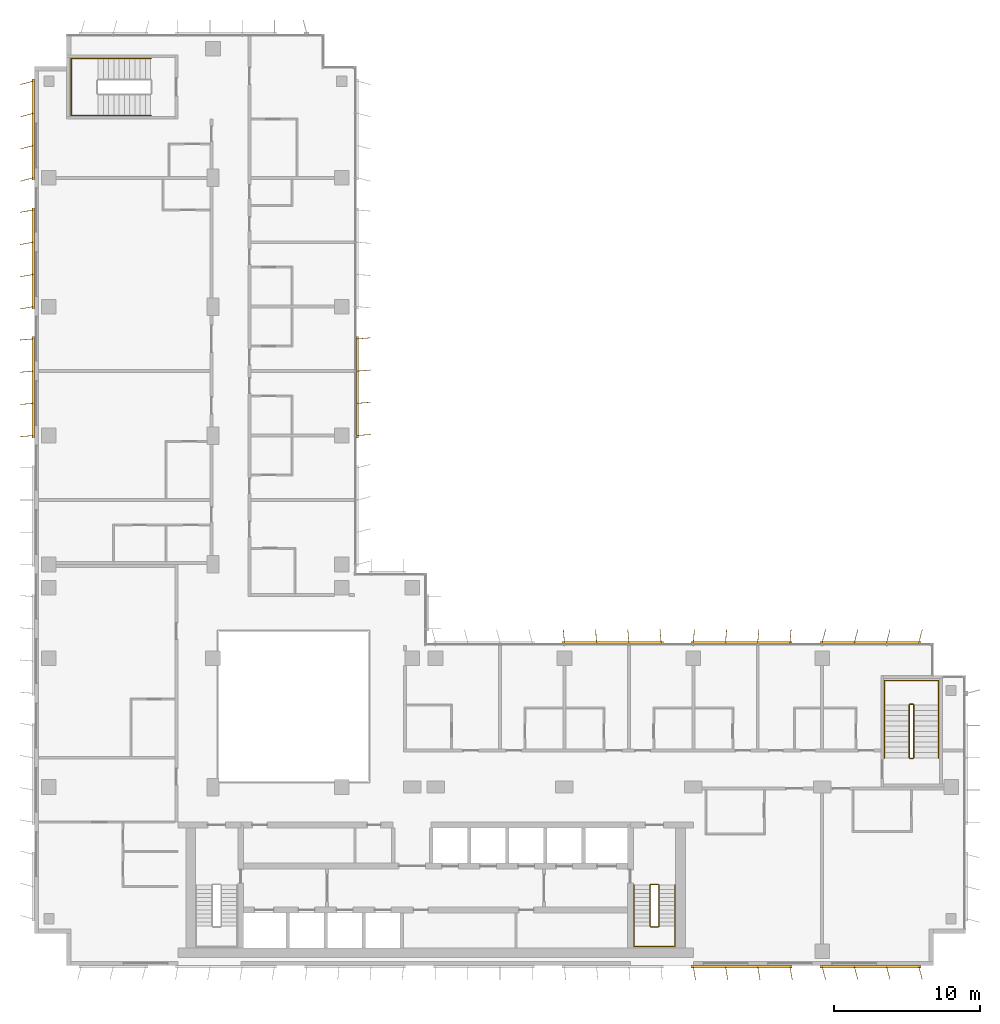
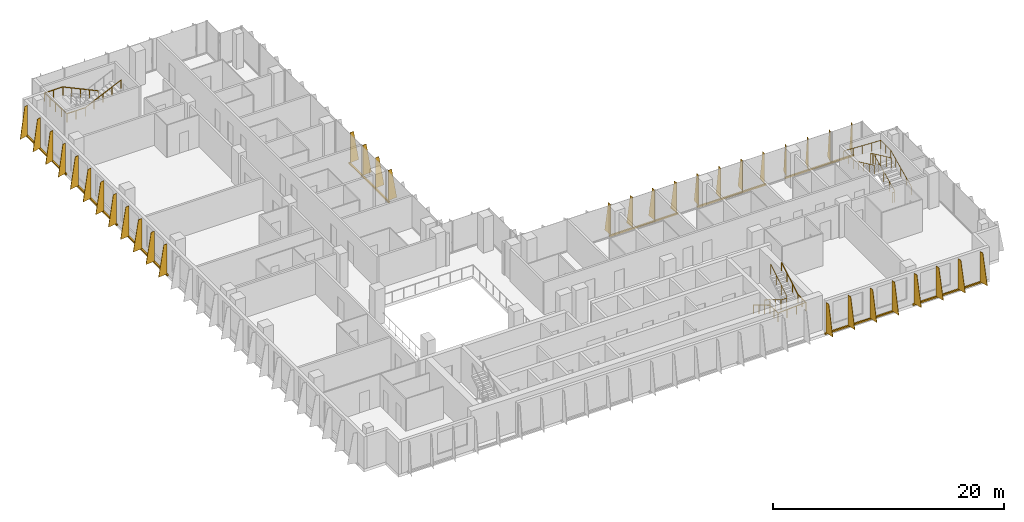
# One storey, part 20 of 21: 9 shading devices, 5 railings.
"""IFC4 building model written with IfcOpenShell, lengths in metres."""

from ifc_helpers import new_model, si_unit, direction, frame, origin, origin_2d, place, context, subcontext, project, spatial, polyline, rectangle, circle, outline, extrude, source, transform, mapped, material, layer, layer_set, type_object, element, save


model = new_model("IFC4")

# Units and contexts
model_context = context("Model", 3, precision=1e-05, world=origin(), true_north=direction((0.0, 1.0)))
body_context = subcontext(model_context, "Body", "Model", "MODEL_VIEW")
ifc_project = project(units=[si_unit("LENGTHUNIT", "METRE"), si_unit("AREAUNIT", "SQUARE_METRE"), si_unit("VOLUMEUNIT", "CUBIC_METRE"), si_unit("PLANEANGLEUNIT", "RADIAN"), si_unit("MASSUNIT", "GRAM", prefix="KILO")], contexts=[model_context])

# Site, building, storey
site_placement = place(None, origin())
site = spatial("IfcSite", under=ifc_project, at=site_placement, CompositionType="ELEMENT")
building_placement = place(site_placement, origin())
building = spatial("IfcBuilding", under=site, at=building_placement, Name="Kemantara Hotel Tower", CompositionType="ELEMENT")
storey_placement = place(building_placement, frame((0.0, 0.0, 215.39990234375)))
storey = spatial("IfcBuildingStorey", under=building, at=storey_placement, Name="L53", CompositionType="ELEMENT", Elevation=215.39990234375)

# Railings
ifc_material_1 = material(Name="Stainless steel balustrade", Category="steel")
railing_type_1 = type_object("IfcRailingType", Name="Stair guard 1100 mm", PredefinedType="GUARDRAIL", material=ifc_material_1)
railing_1_placement = place(storey_placement, frame((42.64990234375, 5.5, 3.7001953125)))
element("IfcRailing", 1, at=railing_1_placement, inside=storey, type_object=railing_type_1, Name="L53 ST2 stair guard 1", PredefinedType="GUARDRAIL", context=body_context, shape_type="SweptSolid", body=[
    extrude(circle(Radius=0.02392578125, at=origin_2d()), frame((0.0, 0.0, 1.076171875), z_axis=(0.0, -0.857242210791, -0.514913383045), x_axis=(1.0, 0.0, 0.0)), (0.0, 0.0, 1.0), 3.266357421875),
    extrude(circle(Radius=0.02392578125, at=origin_2d()), frame((0.0, -2.800048828125, -0.60595703125), z_axis=(-0.273006030465, -0.27434429532, -0.922064485248), x_axis=(0.708833529934, -0.705375805398, 0.0)), (0.0, 0.0, 1.0), 0.182373046875),
    extrude(circle(Radius=0.02392578125, at=origin_2d()), frame((-0.0498046875, -2.85009765625, -0.77392578125), z_axis=(-1.0, 0.0, 0.0), x_axis=(0.0, -1.0, 0.0)), (0.0, 0.0, 1.0), 0.5),
    extrude(circle(Radius=0.02392578125, at=origin_2d()), frame((-0.5498046875, -2.85009765625, -0.77392578125), z_axis=(-0.707106781187, 0.707106781187, 0.0), x_axis=(-0.707106781187, -0.707106781187, 0.0)), (0.0, 0.0, 1.0), 0.07080078125),
    extrude(circle(Radius=0.02392578125, at=origin_2d()), frame((-0.599853515625, -2.800048828125, -0.77392578125), z_axis=(0.0, 0.857242210791, -0.514913383045), x_axis=(-1.0, 0.0, 0.0)), (0.0, 0.0, 1.0), 3.266357421875),
    extrude(circle(Radius=0.02392578125, at=origin_2d()), frame((-0.599853515625, 0.0, -2.4560546875), z_axis=(0.274243871929, 0.274243871929, -0.92172696468), x_axis=(-0.707106781187, 0.707106781187, 0.0)), (0.0, 0.0, 1.0), 0.1826171875),
    extrude(circle(Radius=0.02392578125, at=origin_2d()), frame((-0.5498046875, 0.050048828125, -2.6240234375), z_axis=(1.0, 0.0, 0.0), x_axis=(0.0, 1.0, 0.0)), (0.0, 0.0, 1.0), 0.5),
    extrude(circle(Radius=0.02099609375, at=origin_2d()), origin(), (0.0, 0.0, 1.0), 1.052001953125),
    extrude(circle(Radius=0.02099609375, at=origin_2d()), frame((0.0, -0.933349609375, -0.560546875)), (0.0, 0.0, 1.0), 1.052001953125),
    extrude(circle(Radius=0.02099609375, at=origin_2d()), frame((0.0, -1.86669921875, -1.121337890625)), (0.0, 0.0, 1.0), 1.052001953125),
    extrude(circle(Radius=0.02099609375, at=origin_2d()), frame((0.0, -2.800048828125, -1.681884765625)), (0.0, 0.0, 1.0), 1.052001953125),
    extrude(circle(Radius=0.02099609375, at=origin_2d()), frame((-0.0498046875, -2.85009765625, -1.85009765625)), (0.0, 0.0, 1.0), 1.052001953125),
    extrude(circle(Radius=0.02099609375, at=origin_2d()), frame((-0.5498046875, -2.85009765625, -1.85009765625)), (0.0, 0.0, 1.0), 1.052001953125),
    extrude(circle(Radius=0.02099609375, at=origin_2d()), frame((-0.599853515625, -2.800048828125, -1.85009765625)), (0.0, 0.0, 1.0), 1.052001953125),
    extrude(circle(Radius=0.02099609375, at=origin_2d()), frame((-0.599853515625, -1.86669921875, -2.41064453125)), (0.0, 0.0, 1.0), 1.052001953125),
    extrude(circle(Radius=0.02099609375, at=origin_2d()), frame((-0.599853515625, -0.933349609375, -2.971435546875)), (0.0, 0.0, 1.0), 1.052001953125),
    extrude(circle(Radius=0.02099609375, at=origin_2d()), frame((-0.599853515625, 0.0, -3.531982421875)), (0.0, 0.0, 1.0), 1.052001953125),
    extrude(circle(Radius=0.02099609375, at=origin_2d()), frame((-0.5498046875, 0.050048828125, -3.7001953125)), (0.0, 0.0, 1.0), 1.052001953125),
    extrude(circle(Radius=0.02099609375, at=origin_2d()), frame((-0.0498046875, 0.050048828125, -3.7001953125)), (0.0, 0.0, 1.0), 1.052001953125),
])
railing_2_placement = place(storey_placement, frame((59.75, 14.199951171875, 3.7001953125)))
element("IfcRailing", 2, at=railing_2_placement, inside=storey, type_object=railing_type_1, Name="L53 ST3 stair guard 1", PredefinedType="GUARDRAIL", context=body_context, shape_type="SweptSolid", body=[
    extrude(circle(Radius=0.02392578125, at=origin_2d()), frame((0.0, 0.0, 1.076171875), z_axis=(0.0, 0.906005689286, -0.423265508849), x_axis=(-1.0, 0.0, 0.0)), (0.0, 0.0, 1.0), 3.9736328125),
    extrude(circle(Radius=0.02392578125, at=origin_2d()), frame((0.0, 3.60009765625, -0.60595703125), z_axis=(0.274243871929, 0.274243871929, -0.92172696468), x_axis=(-0.707106781187, 0.707106781187, 0.0)), (0.0, 0.0, 1.0), 0.1826171875),
    extrude(circle(Radius=0.02392578125, at=origin_2d()), frame((0.050048828125, 3.650146484375, -0.77392578125), z_axis=(1.0, 0.0, 0.0), x_axis=(0.0, 1.0, 0.0)), (0.0, 0.0, 1.0), 0.199951171875),
    extrude(circle(Radius=0.02392578125, at=origin_2d()), frame((0.25, 3.650146484375, -0.77392578125), z_axis=(0.707106781187, -0.707106781187, 0.0), x_axis=(0.707106781187, 0.707106781187, 0.0)), (0.0, 0.0, 1.0), 0.07080078125),
    extrude(circle(Radius=0.02392578125, at=origin_2d()), frame((0.300048828125, 3.60009765625, -0.77392578125), z_axis=(0.0, -0.906005689286, -0.423265508849), x_axis=(1.0, 0.0, 0.0)), (0.0, 0.0, 1.0), 3.9736328125),
    extrude(circle(Radius=0.02392578125, at=origin_2d()), frame((0.300048828125, 0.0, -2.4560546875), z_axis=(-0.274243871929, -0.274243871929, -0.92172696468), x_axis=(0.707106781187, -0.707106781187, 0.0)), (0.0, 0.0, 1.0), 0.1826171875),
    extrude(circle(Radius=0.02392578125, at=origin_2d()), frame((0.25, -0.050048828125, -2.6240234375), z_axis=(-1.0, 0.0, 0.0), x_axis=(0.0, -1.0, 0.0)), (0.0, 0.0, 1.0), 0.199951171875),
    extrude(circle(Radius=0.02099609375, at=origin_2d()), origin(), (0.0, 0.0, 1.0), 1.052001953125),
    extrude(circle(Radius=0.02099609375, at=origin_2d()), frame((0.0, 0.89990234375, -0.42041015625)), (0.0, 0.0, 1.0), 1.052001953125),
    extrude(circle(Radius=0.02099609375, at=origin_2d()), frame((0.0, 1.800048828125, -0.8408203125)), (0.0, 0.0, 1.0), 1.052001953125),
    extrude(circle(Radius=0.02099609375, at=origin_2d()), frame((0.0, 2.7001953125, -1.261474609375)), (0.0, 0.0, 1.0), 1.052001953125),
    extrude(circle(Radius=0.02099609375, at=origin_2d()), frame((0.0, 3.60009765625, -1.681884765625)), (0.0, 0.0, 1.0), 1.052001953125),
    extrude(circle(Radius=0.02099609375, at=origin_2d()), frame((0.050048828125, 3.650146484375, -1.85009765625)), (0.0, 0.0, 1.0), 1.052001953125),
    extrude(circle(Radius=0.02099609375, at=origin_2d()), frame((0.25, 3.650146484375, -1.85009765625)), (0.0, 0.0, 1.0), 1.052001953125),
    extrude(circle(Radius=0.02099609375, at=origin_2d()), frame((0.300048828125, 3.60009765625, -1.85009765625)), (0.0, 0.0, 1.0), 1.052001953125),
    extrude(circle(Radius=0.02099609375, at=origin_2d()), frame((0.300048828125, 2.7001953125, -2.2705078125)), (0.0, 0.0, 1.0), 1.052001953125),
    extrude(circle(Radius=0.02099609375, at=origin_2d()), frame((0.300048828125, 1.800048828125, -2.69091796875)), (0.0, 0.0, 1.0), 1.052001953125),
    extrude(circle(Radius=0.02099609375, at=origin_2d()), frame((0.300048828125, 0.89990234375, -3.111572265625)), (0.0, 0.0, 1.0), 1.052001953125),
    extrude(circle(Radius=0.02099609375, at=origin_2d()), frame((0.300048828125, 0.0, -3.531982421875)), (0.0, 0.0, 1.0), 1.052001953125),
    extrude(circle(Radius=0.02099609375, at=origin_2d()), frame((0.25, -0.050048828125, -3.7001953125)), (0.0, 0.0, 1.0), 1.052001953125),
    extrude(circle(Radius=0.02099609375, at=origin_2d()), frame((0.050048828125, -0.050048828125, -3.7001953125)), (0.0, 0.0, 1.0), 1.052001953125),
])
railing_type_2 = type_object("IfcRailingType", Name="Stair handrail 900 mm", PredefinedType="HANDRAIL", material=ifc_material_1)
railing_3_placement = place(storey_placement, frame((40.949951171875, 5.5, 0.168212890625)))
element("IfcRailing", 3, at=railing_3_placement, inside=storey, type_object=railing_type_2, Name="L53 ST2 stair handrail 1", PredefinedType="HANDRAIL", context=body_context, shape_type="SweptSolid", body=[
    extrude(circle(Radius=0.02392578125, at=origin_2d()), frame((0.0, 0.0, 0.8759765625), z_axis=(0.0, -0.857242210791, 0.514913383045), x_axis=(1.0, 0.0, 0.0)), (0.0, 0.0, 1.0), 3.266357421875),
    extrude(circle(Radius=0.02392578125, at=origin_2d()), frame((0.0, -2.800048828125, 2.5576171875), z_axis=(0.0, -1.0, 0.0), x_axis=(1.0, 0.0, 0.0)), (0.0, 0.0, 1.0), 1.3798828125),
    extrude(circle(Radius=0.02392578125, at=origin_2d()), frame((0.0, -4.179931640625, 2.5576171875), z_axis=(0.998200367801, 0.0, 0.059966871865), x_axis=(0.0, 1.0, 0.0)), (0.0, 0.0, 1.0), 2.80517578125),
    extrude(circle(Radius=0.02392578125, at=origin_2d()), frame((2.800048828125, -4.179931640625, 2.72607421875), z_axis=(0.0, 1.0, 0.0), x_axis=(-1.0, 0.0, 0.0)), (0.0, 0.0, 1.0), 1.3798828125),
    extrude(circle(Radius=0.02392578125, at=origin_2d()), frame((2.800048828125, -2.800048828125, 2.72607421875), z_axis=(0.0, 0.857242210791, 0.514913383045), x_axis=(-1.0, 0.0, 0.0)), (0.0, 0.0, 1.0), 3.266357421875),
    extrude(circle(Radius=0.02099609375, at=origin_2d()), origin(), (0.0, 0.0, 1.0), 0.851806640625),
    extrude(circle(Radius=0.02099609375, at=origin_2d()), frame((0.0, -0.933349609375, 0.560546875)), (0.0, 0.0, 1.0), 0.851806640625),
    extrude(circle(Radius=0.02099609375, at=origin_2d()), frame((0.0, -1.86669921875, 1.121337890625)), (0.0, 0.0, 1.0), 0.851806640625),
    extrude(circle(Radius=0.02099609375, at=origin_2d()), frame((0.0, -2.800048828125, 1.681884765625)), (0.0, 0.0, 1.0), 0.851806640625),
    extrude(circle(Radius=0.02099609375, at=origin_2d()), frame((0.0, -3.489990234375, 1.681884765625)), (0.0, 0.0, 1.0), 0.851806640625),
    extrude(circle(Radius=0.02099609375, at=origin_2d()), frame((0.0, -4.179931640625, 1.681884765625)), (0.0, 0.0, 1.0), 0.851806640625),
    extrude(circle(Radius=0.02099609375, at=origin_2d()), frame((0.933349609375, -4.179931640625, 1.738037109375)), (0.0, 0.0, 1.0), 0.851806640625),
    extrude(circle(Radius=0.02099609375, at=origin_2d()), frame((1.86669921875, -4.179931640625, 1.7939453125)), (0.0, 0.0, 1.0), 0.851806640625),
    extrude(circle(Radius=0.02099609375, at=origin_2d()), frame((2.800048828125, -4.179931640625, 1.85009765625)), (0.0, 0.0, 1.0), 0.851806640625),
    extrude(circle(Radius=0.02099609375, at=origin_2d()), frame((2.800048828125, -3.489990234375, 1.85009765625)), (0.0, 0.0, 1.0), 0.851806640625),
    extrude(circle(Radius=0.02099609375, at=origin_2d()), frame((2.800048828125, -2.800048828125, 1.85009765625)), (0.0, 0.0, 1.0), 0.851806640625),
    extrude(circle(Radius=0.02099609375, at=origin_2d()), frame((2.800048828125, -1.86669921875, 2.41064453125)), (0.0, 0.0, 1.0), 0.851806640625),
    extrude(circle(Radius=0.02099609375, at=origin_2d()), frame((2.800048828125, -0.933349609375, 2.971435546875)), (0.0, 0.0, 1.0), 0.851806640625),
    extrude(circle(Radius=0.02099609375, at=origin_2d()), frame((2.800048828125, 0.0, 3.531982421875)), (0.0, 0.0, 1.0), 0.851806640625),
])
railing_4_placement = place(storey_placement, frame((61.75, 14.199951171875, 0.168212890625)))
element("IfcRailing", 4, at=railing_4_placement, inside=storey, type_object=railing_type_2, Name="L53 ST3 stair handrail 1", PredefinedType="HANDRAIL", context=body_context, shape_type="SweptSolid", body=[
    extrude(circle(Radius=0.02392578125, at=origin_2d()), frame((0.0, 0.0, 0.8759765625), z_axis=(0.0, 0.906005689286, 0.423265508849), x_axis=(-1.0, 0.0, 0.0)), (0.0, 0.0, 1.0), 3.9736328125),
    extrude(circle(Radius=0.02392578125, at=origin_2d()), frame((0.0, 3.60009765625, 2.5576171875), z_axis=(0.0, 1.0, 0.0), x_axis=(-1.0, 0.0, 0.0)), (0.0, 0.0, 1.0), 1.679931640625),
    extrude(circle(Radius=0.02392578125, at=origin_2d()), frame((0.0, 5.280029296875, 2.5576171875), z_axis=(-0.998968132438, 0.0, 0.045416631029), x_axis=(0.0, -1.0, 0.0)), (0.0, 0.0, 1.0), 3.703857421875),
    extrude(circle(Radius=0.02392578125, at=origin_2d()), frame((-3.699951171875, 5.280029296875, 2.72607421875), z_axis=(0.0, -1.0, 0.0), x_axis=(1.0, 0.0, 0.0)), (0.0, 0.0, 1.0), 1.679931640625),
    extrude(circle(Radius=0.02392578125, at=origin_2d()), frame((-3.699951171875, 3.60009765625, 2.72607421875), z_axis=(0.0, -0.906005689286, 0.423265508849), x_axis=(1.0, 0.0, 0.0)), (0.0, 0.0, 1.0), 3.9736328125),
    extrude(circle(Radius=0.02099609375, at=origin_2d()), origin(), (0.0, 0.0, 1.0), 0.851806640625),
    extrude(circle(Radius=0.02099609375, at=origin_2d()), frame((0.0, 0.89990234375, 0.42041015625)), (0.0, 0.0, 1.0), 0.851806640625),
    extrude(circle(Radius=0.02099609375, at=origin_2d()), frame((0.0, 1.800048828125, 0.8408203125)), (0.0, 0.0, 1.0), 0.851806640625),
    extrude(circle(Radius=0.02099609375, at=origin_2d()), frame((0.0, 2.7001953125, 1.261474609375)), (0.0, 0.0, 1.0), 0.851806640625),
    extrude(circle(Radius=0.02099609375, at=origin_2d()), frame((0.0, 3.60009765625, 1.681884765625)), (0.0, 0.0, 1.0), 0.851806640625),
    extrude(circle(Radius=0.02099609375, at=origin_2d()), frame((0.0, 4.43994140625, 1.681884765625)), (0.0, 0.0, 1.0), 0.851806640625),
    extrude(circle(Radius=0.02099609375, at=origin_2d()), frame((0.0, 5.280029296875, 1.681884765625)), (0.0, 0.0, 1.0), 0.851806640625),
    extrude(circle(Radius=0.02099609375, at=origin_2d()), frame((-0.925048828125, 5.280029296875, 1.723876953125)), (0.0, 0.0, 1.0), 0.851806640625),
    extrude(circle(Radius=0.02099609375, at=origin_2d()), frame((-1.85009765625, 5.280029296875, 1.76611328125)), (0.0, 0.0, 1.0), 0.851806640625),
    extrude(circle(Radius=0.02099609375, at=origin_2d()), frame((-2.77490234375, 5.280029296875, 1.80810546875)), (0.0, 0.0, 1.0), 0.851806640625),
    extrude(circle(Radius=0.02099609375, at=origin_2d()), frame((-3.699951171875, 5.280029296875, 1.85009765625)), (0.0, 0.0, 1.0), 0.851806640625),
    extrude(circle(Radius=0.02099609375, at=origin_2d()), frame((-3.699951171875, 4.43994140625, 1.85009765625)), (0.0, 0.0, 1.0), 0.851806640625),
    extrude(circle(Radius=0.02099609375, at=origin_2d()), frame((-3.699951171875, 3.60009765625, 1.85009765625)), (0.0, 0.0, 1.0), 0.851806640625),
    extrude(circle(Radius=0.02099609375, at=origin_2d()), frame((-3.699951171875, 2.7001953125, 2.2705078125)), (0.0, 0.0, 1.0), 0.851806640625),
    extrude(circle(Radius=0.02099609375, at=origin_2d()), frame((-3.699951171875, 1.800048828125, 2.69091796875)), (0.0, 0.0, 1.0), 0.851806640625),
    extrude(circle(Radius=0.02099609375, at=origin_2d()), frame((-3.699951171875, 0.89990234375, 3.111572265625)), (0.0, 0.0, 1.0), 0.851806640625),
    extrude(circle(Radius=0.02099609375, at=origin_2d()), frame((-3.699951171875, 0.0, 3.531982421875)), (0.0, 0.0, 1.0), 0.851806640625),
])
railing_5_placement = place(storey_placement, frame((7.949951171875, 61.949951171875, 0.168212890625)))
element("IfcRailing", 5, at=railing_5_placement, inside=storey, type_object=railing_type_2, Name="L53 ST4 stair handrail 1", PredefinedType="HANDRAIL", context=body_context, shape_type="SweptSolid", body=[
    extrude(circle(Radius=0.02392578125, at=origin_2d()), frame((0.0, 0.0, 0.8759765625), z_axis=(-0.905994681025, 0.0, 0.423289071386), x_axis=(0.0, -1.0, 0.0)), (0.0, 0.0, 1.0), 3.973388671875),
    extrude(circle(Radius=0.02392578125, at=origin_2d()), frame((-3.599853515625, 0.0, 2.5576171875), z_axis=(-1.0, 0.0, 0.0), x_axis=(0.0, -1.0, 0.0)), (0.0, 0.0, 1.0), 1.830078125),
    extrude(circle(Radius=0.02392578125, at=origin_2d()), frame((-5.429931640625, 0.0, 2.5576171875), z_axis=(0.0, -0.999071085748, 0.043092523981), x_axis=(1.0, 0.0, 0.0)), (0.0, 0.0, 1.0), 3.903564453125),
    extrude(circle(Radius=0.02392578125, at=origin_2d()), frame((-5.429931640625, -3.89990234375, 2.72607421875), z_axis=(1.0, 0.0, 0.0), x_axis=(0.0, 1.0, 0.0)), (0.0, 0.0, 1.0), 1.830078125),
    extrude(circle(Radius=0.02392578125, at=origin_2d()), frame((-3.599853515625, -3.89990234375, 2.72607421875), z_axis=(0.905994681025, 0.0, 0.423289071386), x_axis=(0.0, 1.0, 0.0)), (0.0, 0.0, 1.0), 3.973388671875),
    extrude(circle(Radius=0.02099609375, at=origin_2d()), origin(), (0.0, 0.0, 1.0), 0.851806640625),
    extrude(circle(Radius=0.02099609375, at=origin_2d()), frame((-0.89990234375, 0.0, 0.42041015625)), (0.0, 0.0, 1.0), 0.851806640625),
    extrude(circle(Radius=0.02099609375, at=origin_2d()), frame((-1.7998046875, 0.0, 0.8408203125)), (0.0, 0.0, 1.0), 0.851806640625),
    extrude(circle(Radius=0.02099609375, at=origin_2d()), frame((-2.699951171875, 0.0, 1.261474609375)), (0.0, 0.0, 1.0), 0.851806640625),
    extrude(circle(Radius=0.02099609375, at=origin_2d()), frame((-3.599853515625, 0.0, 1.681884765625)), (0.0, 0.0, 1.0), 0.851806640625),
    extrude(circle(Radius=0.02099609375, at=origin_2d()), frame((-4.514892578125, 0.0, 1.681884765625)), (0.0, 0.0, 1.0), 0.851806640625),
    extrude(circle(Radius=0.02099609375, at=origin_2d()), frame((-5.429931640625, 0.0, 1.681884765625)), (0.0, 0.0, 1.0), 0.851806640625),
    extrude(circle(Radius=0.02099609375, at=origin_2d()), frame((-5.429931640625, -0.97509765625, 1.723876953125)), (0.0, 0.0, 1.0), 0.851806640625),
    extrude(circle(Radius=0.02099609375, at=origin_2d()), frame((-5.429931640625, -1.949951171875, 1.76611328125)), (0.0, 0.0, 1.0), 0.851806640625),
    extrude(circle(Radius=0.02099609375, at=origin_2d()), frame((-5.429931640625, -2.9248046875, 1.80810546875)), (0.0, 0.0, 1.0), 0.851806640625),
    extrude(circle(Radius=0.02099609375, at=origin_2d()), frame((-5.429931640625, -3.89990234375, 1.85009765625)), (0.0, 0.0, 1.0), 0.851806640625),
    extrude(circle(Radius=0.02099609375, at=origin_2d()), frame((-4.514892578125, -3.89990234375, 1.85009765625)), (0.0, 0.0, 1.0), 0.851806640625),
    extrude(circle(Radius=0.02099609375, at=origin_2d()), frame((-3.599853515625, -3.89990234375, 1.85009765625)), (0.0, 0.0, 1.0), 0.851806640625),
    extrude(circle(Radius=0.02099609375, at=origin_2d()), frame((-2.699951171875, -3.89990234375, 2.2705078125)), (0.0, 0.0, 1.0), 0.851806640625),
    extrude(circle(Radius=0.02099609375, at=origin_2d()), frame((-1.7998046875, -3.89990234375, 2.69091796875)), (0.0, 0.0, 1.0), 0.851806640625),
    extrude(circle(Radius=0.02099609375, at=origin_2d()), frame((-0.89990234375, -3.89990234375, 3.111572265625)), (0.0, 0.0, 1.0), 0.851806640625),
    extrude(circle(Radius=0.02099609375, at=origin_2d()), frame((0.0, -3.89990234375, 3.531982421875)), (0.0, 0.0, 1.0), 0.851806640625),
])

# Shading devices
ifc_material_2 = material(Name="Perforated aluminium plate 4 mm bronze anodised", Category="aluminium")
ifc_layer_1 = layer(ifc_material_2, 0.0400390625)
ifc_layer_set_1 = layer_set([ifc_layer_1], Name="Perforated aluminium plate 4 mm bronze anodised")
shading_device_type_1 = type_object("IfcShadingDeviceType", Name="SCREEN FIN CASSETTE, 4 BLADES AT -5.0 DEG, 3200 HIGH", PredefinedType="USERDEFINED", material=ifc_layer_set_1)
shared_shape_1 = source(origin(), body_context, "Body", "SweptSolid", [
    extrude(rectangle(XDim=6.89990234375, YDim=0.14990234375, at=origin_2d()), frame((3.300048828125, -0.074951171875, -0.14990234375), z_axis=(0.0, 0.0, 1.0), x_axis=(1.0, 0.0, 0.0)), (0.0, 0.0, 1.0), 0.14990234375),
    extrude(outline(polyline([(0.0, 0.0), (0.89990234375, 0.0), (0.35009765625, 3.199951171875), (0.0, 3.199951171875), (0.0, 0.0)])), frame((0.02001953125, -0.07666015625, 0.0), z_axis=(-0.996376129781, 0.085056498884, 0.0), x_axis=(-0.085056498884, -0.996376129781, 0.0)), (0.0, 0.0, 1.0), 0.040283203125),
    extrude(outline(polyline([(0.0, 0.0), (0.89990234375, 0.0), (0.35009765625, 3.199951171875), (0.0, 3.199951171875), (0.0, 0.0)])), frame((2.219970703125, -0.07666015625, 0.0), z_axis=(-0.996331773833, 0.085574508182, 0.0), x_axis=(-0.085574508182, -0.996331773833, 0.0)), (0.0, 0.0, 1.0), 0.0400390625),
    extrude(outline(polyline([(0.0, 0.0), (0.89990234375, 0.0), (0.35009765625, 3.199951171875), (0.0, 3.199951171875), (0.0, 0.0)])), frame((4.419921875, -0.07666015625, 0.0), z_axis=(-0.996331773833, 0.085574508182, 0.0), x_axis=(-0.085574508182, -0.996331773833, 0.0)), (0.0, 0.0, 1.0), 0.0400390625),
    extrude(outline(polyline([(0.0, 0.0), (0.89990234375, 0.0), (0.35009765625, 3.199951171875), (0.0, 3.199951171875), (0.0, 0.0)])), frame((6.619873046875, -0.07666015625, 0.0), z_axis=(-0.996331773833, 0.085574508182, 0.0), x_axis=(-0.085574508182, -0.996331773833, 0.0)), (0.0, 0.0, 1.0), 0.0400390625),
])
shading_device_1_placement = place(storey_placement, frame((51.60009765625, 22.0, 0.10009765625), z_axis=(0.0, 0.0, 1.0), x_axis=(-1.0, 0.0, 0.0)))
element("IfcShadingDevice", 6, at=shading_device_1_placement, inside=storey, type_object=shading_device_type_1, Name="SCREEN FIN CASSETTE L53 T3-R14-2", ObjectType="SCREEN FIN", PredefinedType="USERDEFINED", context=body_context, shape_type="MappedRepresentation", body=[
    mapped(shared_shape_1, transform((0.0, 0.0, 0.0))),
])
ifc_layer_2 = layer(ifc_material_2, 0.0400390625)
ifc_layer_set_2 = layer_set([ifc_layer_2], Name="Perforated aluminium plate 4 mm bronze anodised")
shading_device_type_2 = type_object("IfcShadingDeviceType", Name="SCREEN FIN CASSETTE, 4 BLADES AT +5.0 DEG, 3200 HIGH", PredefinedType="USERDEFINED", material=ifc_layer_set_2)
shared_shape_2 = source(origin(), body_context, "Body", "SweptSolid", [
    extrude(rectangle(XDim=6.89990234375, YDim=0.14990234375, at=origin_2d()), frame((3.300048828125, -0.074951171875, -0.14990234375), z_axis=(0.0, 0.0, 1.0), x_axis=(1.0, 0.0, 0.0)), (0.0, 0.0, 1.0), 0.14990234375),
    extrude(outline(polyline([(0.0, 0.0), (0.89990234375, 0.0), (0.35009765625, 3.199951171875), (0.0, 3.199951171875), (0.0, 0.0)])), frame((0.02001953125, -0.0732421875, 0.0), z_axis=(-0.996376129781, -0.085056498884, 0.0), x_axis=(0.085056498884, -0.996376129781, 0.0)), (0.0, 0.0, 1.0), 0.040283203125),
    extrude(outline(polyline([(0.0, 0.0), (0.89990234375, 0.0), (0.35009765625, 3.199951171875), (0.0, 3.199951171875), (0.0, 0.0)])), frame((2.219970703125, -0.0732421875, 0.0), z_axis=(-0.996331773833, -0.085574508182, 0.0), x_axis=(0.085574508182, -0.996331773833, 0.0)), (0.0, 0.0, 1.0), 0.0400390625),
    extrude(outline(polyline([(0.0, 0.0), (0.89990234375, 0.0), (0.35009765625, 3.199951171875), (0.0, 3.199951171875), (0.0, 0.0)])), frame((4.419921875, -0.0732421875, 0.0), z_axis=(-0.996331773833, -0.085574508182, 0.0), x_axis=(0.085574508182, -0.996331773833, 0.0)), (0.0, 0.0, 1.0), 0.0400390625),
    extrude(outline(polyline([(0.0, 0.0), (0.89990234375, 0.0), (0.35009765625, 3.199951171875), (0.0, 3.199951171875), (0.0, 0.0)])), frame((6.619873046875, -0.0732421875, 0.0), z_axis=(-0.996331773833, -0.085574508182, 0.0), x_axis=(0.085574508182, -0.996331773833, 0.0)), (0.0, 0.0, 1.0), 0.0400390625),
])
for number, where, z_axis, x_axis, name in (
    (7, (0.0, 42.800048828125, 0.10009765625), (0.0, 0.0, 1.0), (0.0, -1.0, 0.0), "SCREEN FIN CASSETTE L53 T3-R05-3"),
    (8, (42.800048828125, 22.0, 0.10009765625), (0.0, 0.0, 1.0), (-1.0, 0.0, 0.0), "SCREEN FIN CASSETTE L53 T3-R14-3"),
    (9, (22.0, 36.199951171875, 0.10009765625), (0.0, 0.0, 1.0), (0.0, 1.0, 0.0), "SCREEN FIN CASSETTE L53 T3-R17-2"),
):
    element("IfcShadingDevice", number, at=place(storey_placement, frame(where, z_axis=z_axis, x_axis=x_axis)), inside=storey, type_object=shading_device_type_2, Name=name, ObjectType="SCREEN FIN", PredefinedType="USERDEFINED", context=body_context, shape_type="MappedRepresentation", body=[
        mapped(shared_shape_2, transform((0.0, 0.0, 0.0))),
    ])
ifc_layer_3 = layer(ifc_material_2, 0.0400390625)
ifc_layer_set_3 = layer_set([ifc_layer_3], Name="Perforated aluminium plate 4 mm bronze anodised")
shading_device_type_3 = type_object("IfcShadingDeviceType", Name="SCREEN FIN CASSETTE, 4 BLADES AT +10.0 DEG, 3200 HIGH", PredefinedType="USERDEFINED", material=ifc_layer_set_3)
shared_shape_3 = source(origin(), body_context, "Body", "SweptSolid", [
    extrude(rectangle(XDim=6.89990234375, YDim=0.14990234375, at=origin_2d()), frame((3.300048828125, -0.074951171875, -0.14990234375), z_axis=(0.0, 0.0, 1.0), x_axis=(1.0, 0.0, 0.0)), (0.0, 0.0, 1.0), 0.14990234375),
    extrude(outline(polyline([(0.0, 0.0), (0.89990234375, 0.0), (0.35009765625, 3.199951171875), (0.0, 3.199951171875), (0.0, 0.0)])), frame((0.019775390625, -0.071533203125, 0.0), z_axis=(-0.985389793052, -0.170314285219, 0.0), x_axis=(0.170314285219, -0.985389793052, 0.0)), (0.0, 0.0, 1.0), 0.0400390625),
    extrude(outline(polyline([(0.0, 0.0), (0.89990234375, 0.0), (0.35009765625, 3.199951171875), (0.0, 3.199951171875), (0.0, 0.0)])), frame((2.2197265625, -0.071533203125, 0.0), z_axis=(-0.98521175482, -0.171341174751, 0.0), x_axis=(0.171341174751, -0.98521175482, 0.0)), (0.0, 0.0, 1.0), 0.039794921875),
    extrude(outline(polyline([(0.0, 0.0), (0.89990234375, 0.0), (0.35009765625, 3.199951171875), (0.0, 3.199951171875), (0.0, 0.0)])), frame((4.419677734375, -0.071533203125, 0.0), z_axis=(-0.98521175482, -0.171341174751, 0.0), x_axis=(0.171341174751, -0.98521175482, 0.0)), (0.0, 0.0, 1.0), 0.039794921875),
    extrude(outline(polyline([(0.0, 0.0), (0.89990234375, 0.0), (0.35009765625, 3.199951171875), (0.0, 3.199951171875), (0.0, 0.0)])), frame((6.61962890625, -0.071533203125, 0.0), z_axis=(-0.98521175482, -0.171341174751, 0.0), x_axis=(0.171341174751, -0.98521175482, 0.0)), (0.0, 0.0, 1.0), 0.039794921875),
])
for number, where, z_axis, x_axis, name in (
    (10, (0.0, 51.60009765625, 0.10009765625), (0.0, 0.0, 1.0), (0.0, -1.0, 0.0), "SCREEN FIN CASSETTE L53 T3-R05-2"),
    (11, (45.0, 0.0, 0.10009765625), (0.0, 0.0, 1.0), (1.0, 0.0, 0.0), "SCREEN FIN CASSETTE L53 T3-R08-6"),
):
    element("IfcShadingDevice", number, at=place(storey_placement, frame(where, z_axis=z_axis, x_axis=x_axis)), inside=storey, type_object=shading_device_type_3, Name=name, ObjectType="SCREEN FIN", PredefinedType="USERDEFINED", context=body_context, shape_type="MappedRepresentation", body=[
        mapped(shared_shape_3, transform((0.0, 0.0, 0.0))),
    ])
ifc_layer_4 = layer(ifc_material_2, 0.0400390625)
ifc_layer_set_4 = layer_set([ifc_layer_4], Name="Perforated aluminium plate 4 mm bronze anodised")
shading_device_type_4 = type_object("IfcShadingDeviceType", Name="SCREEN FIN CASSETTE, 4 BLADES AT +15.0 DEG, 3200 HIGH", PredefinedType="USERDEFINED", material=ifc_layer_set_4)
shared_shape_4 = source(origin(), body_context, "Body", "SweptSolid", [
    extrude(rectangle(XDim=6.89990234375, YDim=0.14990234375, at=origin_2d()), frame((3.300048828125, -0.074951171875, -0.14990234375), z_axis=(0.0, 0.0, 1.0), x_axis=(1.0, 0.0, 0.0)), (0.0, 0.0, 1.0), 0.14990234375),
    extrude(outline(polyline([(0.0, 0.0), (0.89990234375, 0.0), (0.35009765625, 3.199951171875), (0.0, 3.199951171875), (0.0, 0.0)])), frame((0.019287109375, -0.06982421875, 0.0), z_axis=(-0.966437683387, -0.256901156343, 0.0), x_axis=(0.256901156343, -0.966437683387, 0.0)), (0.0, 0.0, 1.0), 0.039794921875),
    extrude(outline(polyline([(0.0, 0.0), (0.89990234375, 0.0), (0.35009765625, 3.199951171875), (0.0, 3.199951171875), (0.0, 0.0)])), frame((2.21923828125, -0.06982421875, 0.0), z_axis=(-0.966437683387, -0.256901156343, 0.0), x_axis=(0.256901156343, -0.966437683387, 0.0)), (0.0, 0.0, 1.0), 0.039794921875),
    extrude(outline(polyline([(0.0, 0.0), (0.89990234375, 0.0), (0.35009765625, 3.199951171875), (0.0, 3.199951171875), (0.0, 0.0)])), frame((4.41943359375, -0.06982421875, 0.0), z_axis=(-0.966837822169, -0.255391122837, 0.0), x_axis=(0.255391122837, -0.966837822169, 0.0)), (0.0, 0.0, 1.0), 0.0400390625),
    extrude(outline(polyline([(0.0, 0.0), (0.89990234375, 0.0), (0.35009765625, 3.199951171875), (0.0, 3.199951171875), (0.0, 0.0)])), frame((6.619384765625, -0.06982421875, 0.0), z_axis=(-0.966837822169, -0.255391122837, 0.0), x_axis=(0.255391122837, -0.966837822169, 0.0)), (0.0, 0.0, 1.0), 0.0400390625),
])
for number, where, z_axis, x_axis, name in (
    (12, (0.0, 60.39990234375, 0.10009765625), (0.0, 0.0, 1.0), (0.0, -1.0, 0.0), "SCREEN FIN CASSETTE L53 T3-R05-1"),
    (13, (53.800048828125, 0.0, 0.10009765625), (0.0, 0.0, 1.0), (1.0, 0.0, 0.0), "SCREEN FIN CASSETTE L53 T3-R08-7"),
):
    element("IfcShadingDevice", number, at=place(storey_placement, frame(where, z_axis=z_axis, x_axis=x_axis)), inside=storey, type_object=shading_device_type_4, Name=name, ObjectType="SCREEN FIN", PredefinedType="USERDEFINED", context=body_context, shape_type="MappedRepresentation", body=[
        mapped(shared_shape_4, transform((0.0, 0.0, 0.0))),
    ])
ifc_layer_5 = layer(ifc_material_2, 0.0400390625)
ifc_layer_set_5 = layer_set([ifc_layer_5], Name="Perforated aluminium plate 4 mm bronze anodised")
shading_device_type_5 = type_object("IfcShadingDeviceType", Name="SCREEN FIN CASSETTE, 4 BLADES AT -15.0 DEG, 3200 HIGH", PredefinedType="USERDEFINED", material=ifc_layer_set_5)
shared_shape_5 = source(origin(), body_context, "Body", "SweptSolid", [
    extrude(rectangle(XDim=6.89990234375, YDim=0.14990234375, at=origin_2d()), frame((3.300048828125, -0.074951171875, -0.14990234375), z_axis=(0.0, 0.0, 1.0), x_axis=(1.0, 0.0, 0.0)), (0.0, 0.0, 1.0), 0.14990234375),
    extrude(outline(polyline([(0.0, 0.0), (0.89990234375, 0.0), (0.35009765625, 3.199951171875), (0.0, 3.199951171875), (0.0, 0.0)])), frame((0.019287109375, -0.080078125, 0.0), z_axis=(-0.966437683387, 0.256901156343, 0.0), x_axis=(-0.256901156343, -0.966437683387, 0.0)), (0.0, 0.0, 1.0), 0.039794921875),
    extrude(outline(polyline([(0.0, 0.0), (0.89990234375, 0.0), (0.35009765625, 3.199951171875), (0.0, 3.199951171875), (0.0, 0.0)])), frame((2.21923828125, -0.080078125, 0.0), z_axis=(-0.966437683387, 0.256901156343, 0.0), x_axis=(-0.256901156343, -0.966437683387, 0.0)), (0.0, 0.0, 1.0), 0.039794921875),
    extrude(outline(polyline([(0.0, 0.0), (0.89990234375, 0.0), (0.35009765625, 3.199951171875), (0.0, 3.199951171875), (0.0, 0.0)])), frame((4.41943359375, -0.080078125, 0.0), z_axis=(-0.966837822169, 0.255391122837, 0.0), x_axis=(-0.255391122837, -0.966837822169, 0.0)), (0.0, 0.0, 1.0), 0.0400390625),
    extrude(outline(polyline([(0.0, 0.0), (0.89990234375, 0.0), (0.35009765625, 3.199951171875), (0.0, 3.199951171875), (0.0, 0.0)])), frame((6.619384765625, -0.080078125, 0.0), z_axis=(-0.966837822169, 0.255391122837, 0.0), x_axis=(-0.255391122837, -0.966837822169, 0.0)), (0.0, 0.0, 1.0), 0.0400390625),
])
shading_device_2_placement = place(storey_placement, frame((60.39990234375, 22.0, 0.10009765625), z_axis=(0.0, 0.0, 1.0), x_axis=(-1.0, 0.0, 0.0)))
element("IfcShadingDevice", 14, at=shading_device_2_placement, inside=storey, type_object=shading_device_type_5, Name="SCREEN FIN CASSETTE L53 T3-R14-1", ObjectType="SCREEN FIN", PredefinedType="USERDEFINED", context=body_context, shape_type="MappedRepresentation", body=[
    mapped(shared_shape_5, transform((0.0, 0.0, 0.0))),
])

save(model, "model.ifc")
